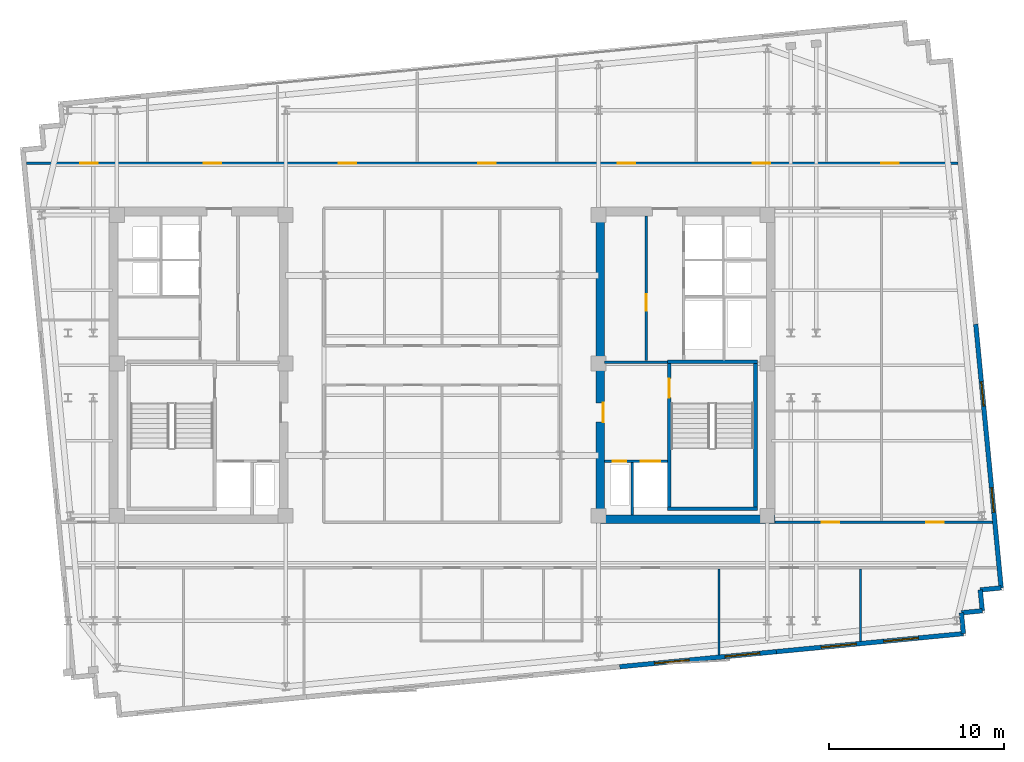
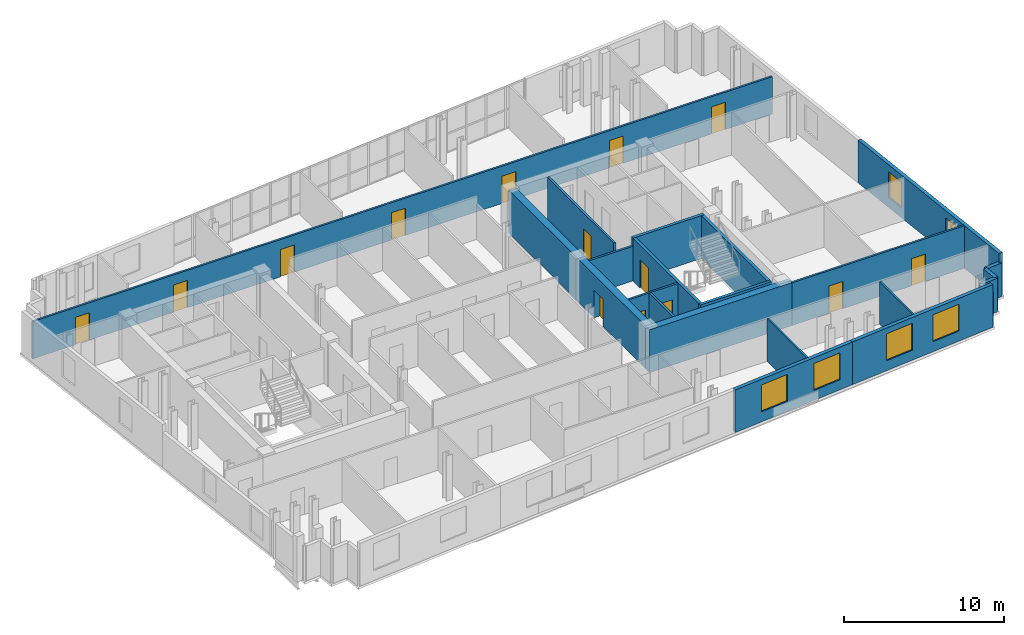
# One storey, part 8 of 11: 21 walls, 14 doors, 6 windows, 20 openings.
"""IFC4 building model written with IfcOpenShell, lengths in metres."""

from ifc_helpers import new_model, si_unit, direction, frame, frame_2d, origin, place, context, subcontext, project, spatial, rectangle, extrude, material, layer, layer_set, type_object, element, fill, save


model = new_model("IFC4")

# Units and contexts
model_context = context("Model", 3, precision=1e-05, world=origin(), true_north=direction((0.0, 1.0)))
body_context = subcontext(model_context, "Body", "Model", "MODEL_VIEW")
ifc_project = project(units=[si_unit("LENGTHUNIT", "METRE"), si_unit("AREAUNIT", "SQUARE_METRE"), si_unit("VOLUMEUNIT", "CUBIC_METRE"), si_unit("PLANEANGLEUNIT", "RADIAN"), si_unit("MASSUNIT", "GRAM", prefix="KILO")], contexts=[model_context])

# Site, building, storey
site_placement = place(None, origin())
site = spatial("IfcSite", under=ifc_project, at=site_placement, CompositionType="ELEMENT")
building_placement = place(site_placement, origin())
building = spatial("IfcBuilding", under=site, at=building_placement, Name="Velakula Bourse", CompositionType="ELEMENT")
storey_placement = place(building_placement, frame((0.0, 0.0, 279.300048828125)))
storey = spatial("IfcBuildingStorey", under=building, at=storey_placement, Name="L76", CompositionType="ELEMENT", Elevation=279.300048828125)

# Wall, opening, door
ifc_material_1 = material(Name="Concrete M50 (fck 50 MPa)", Category="concrete")
ifc_layer_1 = layer(ifc_material_1, 0.2099609375, Name="Concrete M50 (fck 50 MPa)", Category="concrete")
ifc_layer_set_1 = layer_set([ifc_layer_1], Name="Concrete M50 (fck 50 MPa)")
wall_type_1 = type_object("IfcWallType", Name="WL-CORE-210", PredefinedType="SHEAR", material=ifc_layer_set_1)
wall_1_placement = place(storey_placement, frame((12.9951171875, -8.10009765625, 0.0), z_axis=(0.0, 0.0, 1.0), x_axis=(0.0, 1.0, 0.0)))
wall_1 = element("IfcWall", 1, at=wall_1_placement, inside=storey, type_object=wall_type_1, Name="L76 Core E Stairwell Shear Wall IN", PredefinedType="SHEAR", context=body_context, shape_type="SweptSolid", body=[
    extrude(rectangle(XDim=8.2001953125, YDim=0.2099609375, at=frame_2d((4.10009765625, 0.0))), origin(), (0.0, 0.0, 1.0), 3.27001953125),
])
opening_1_placement = place(wall_1_placement, frame((6.25, 0.0, 0.0)))
opening_1 = element("IfcOpeningElement", 2, at=opening_1_placement, cuts=wall_1, Name="Opening D-STE1", PredefinedType="OPENING", context=body_context, shape_type="SweptSolid", body=[
    extrude(rectangle(XDim=1.10009765625, YDim=2.14990234375, at=frame_2d((0.550048828125, 1.074951171875))), frame((0.0, 0.114990234375, 0.0), z_axis=(0.0, -1.0, 0.0), x_axis=(1.0, 0.0, 0.0)), (0.0, 0.0, 1.0), 0.22998046875),
])
ifc_material_2 = material(Name="Galvanised painted hollow steel fire door", Category="steel")
door_type_1 = type_object("IfcDoorType", Name="DR-FD120-1100x2150", OperationType="NOTDEFINED", PredefinedType="DOOR", material=ifc_material_2)
door_1_placement = place(opening_1_placement, origin())
door_1 = element("IfcDoor", 3, at=door_1_placement, inside=storey, type_object=door_type_1, Name="L76 Stair ST-E1 Fire Door", OperationType="SINGLE_SWING_RIGHT", OverallHeight=2.14990234375, OverallWidth=1.10009765625, PredefinedType="DOOR", context=body_context, shape_type="SweptSolid", body=[
    extrude(rectangle(XDim=1.10009765625, YDim=2.14990234375, at=frame_2d((0.550048828125, 1.074951171875))), frame((0.0, 0.02490234375, 0.0), z_axis=(0.0, -1.0, 0.0), x_axis=(1.0, 0.0, 0.0)), (0.0, 0.0, 1.0), 0.050048828125),
])
fill(opening_1, door_1)

# Walls
wall_2_placement = place(storey_placement, frame((17.925048828125, -8.10009765625, 0.0), z_axis=(0.0, 0.0, 1.0), x_axis=(0.0, 1.0, 0.0)))
element("IfcWall", 4, at=wall_2_placement, inside=storey, type_object=wall_type_1, Name="L76 Core E Stairwell Shear Wall OUT", PredefinedType="SHEAR", context=body_context, shape_type="SweptSolid", body=[
    extrude(rectangle(XDim=8.2001953125, YDim=0.2099609375, at=frame_2d((4.10009765625, 0.0))), origin(), (0.0, 0.0, 1.0), 3.27001953125),
])
for number, where, z_axis, x_axis, name in (
    (5, (12.889892578125, -8.205078125, 0.0), (0.0, 0.0, 1.0), (1.0, 0.0, 0.0), "L76 Core E Stairwell Shear Wall S"),
    (6, (18.030029296875, 0.205078125, 0.0), (0.0, 0.0, 1.0), (-1.0, 0.0, 0.0), "L76 Core E Stairwell Shear Wall N"),
):
    element("IfcWall", number, at=place(storey_placement, frame(where, z_axis=z_axis, x_axis=x_axis)), inside=storey, type_object=wall_type_1, Name=name, PredefinedType="SHEAR", context=body_context, shape_type="SweptSolid", body=[
        extrude(rectangle(XDim=5.14013671875, YDim=0.2099609375, at=frame_2d((2.570068359375, 0.0))), origin(), (0.0, 0.0, 1.0), 3.27001953125),
    ])
ifc_layer_2 = layer(ifc_material_1, 0.5, Name="Concrete M50 (fck 50 MPa)", Category="concrete")
ifc_layer_set_2 = layer_set([ifc_layer_2], Name="Concrete M50 (fck 50 MPa)")
wall_type_2 = type_object("IfcWallType", Name="WL-CORE-500", PredefinedType="SHEAR", material=ifc_layer_set_2)
wall_3_placement = place(storey_placement, frame((8.800048828125, -8.800048828125, 0.0), z_axis=(0.0, 0.0, 1.0), x_axis=(1.0, 0.0, 0.0)))
element("IfcWall", 7, at=wall_3_placement, inside=storey, type_object=wall_type_2, Name="L76 Core E Shear Wall S", PredefinedType="SHEAR", context=body_context, shape_type="SweptSolid", body=[
    extrude(rectangle(XDim=10.25, YDim=0.5, at=frame_2d((5.125, 0.0))), origin(), (0.0, 0.0, 1.0), 3.27001953125),
])

# Wall, opening, door
wall_4_placement = place(storey_placement, frame((9.050048828125, -8.550048828125, 0.0), z_axis=(0.0, 0.0, 1.0), x_axis=(0.0, 1.0, 0.0)))
wall_4 = element("IfcWall", 8, at=wall_4_placement, inside=storey, type_object=wall_type_2, Name="L76 Core E Shear Wall W", PredefinedType="SHEAR", context=body_context, shape_type="SweptSolid", body=[
    extrude(rectangle(XDim=17.10009765625, YDim=0.5, at=frame_2d((8.550048828125, 0.0))), origin(), (0.0, 0.0, 1.0), 3.27001953125),
])
opening_2_placement = place(wall_4_placement, frame((5.300048828125, 0.0, 0.0)))
opening_2 = element("IfcOpeningElement", 9, at=opening_2_placement, cuts=wall_4, Name="Opening D-FLE", PredefinedType="OPENING", context=body_context, shape_type="SweptSolid", body=[
    extrude(rectangle(XDim=1.10009765625, YDim=2.080078125, at=frame_2d((0.550048828125, 1.0400390625))), frame((0.0, 0.260009765625, 0.0), z_axis=(0.0, -1.0, 0.0), x_axis=(1.0, 0.0, 0.0)), (0.0, 0.0, 1.0), 0.52001953125),
])
door_type_2 = type_object("IfcDoorType", Name="DR-FD120-1100", OperationType="NOTDEFINED", PredefinedType="DOOR", material=ifc_material_2)
door_2_placement = place(opening_2_placement, origin())
door_2 = element("IfcDoor", 10, at=door_2_placement, inside=storey, type_object=door_type_2, Name="L76 Firefighting Lobby E Corridor Fire Door", OperationType="SINGLE_SWING_RIGHT", OverallHeight=2.080078125, OverallWidth=1.10009765625, PredefinedType="DOOR", context=body_context, shape_type="SweptSolid", body=[
    extrude(rectangle(XDim=1.10009765625, YDim=2.080078125, at=frame_2d((0.550048828125, 1.0400390625))), frame((0.0, -0.15478515625, 0.0), z_axis=(0.0, -1.0, 0.0), x_axis=(1.0, 0.0, 0.0)), (0.0, 0.0, 1.0), 0.050048828125),
])
fill(opening_2, door_2)

# Wall, openings, windows
ifc_material_3 = material(Name="Buff kilned clay facing brick masonry", Category="masonry")
ifc_layer_3 = layer(ifc_material_3, 0.260009765625, Name="Buff kilned clay facing brick masonry", Category="masonry")
ifc_layer_set_3 = layer_set([ifc_layer_3], Name="Buff kilned clay facing brick masonry")
wall_type_3 = type_object("IfcWallType", Name="WL-EXT-BRK-260", PredefinedType="STANDARD", material=ifc_layer_set_3)
wall_5_placement = place(storey_placement, frame((19.119873046875, -16.375244140625, 0.0), z_axis=(0.0, 0.0, 1.0), x_axis=(-0.995396794462, -0.09583956164, 0.0)))
wall_5 = element("IfcWall", 11, at=wall_5_placement, inside=storey, type_object=wall_type_3, Name="L76 S Brick Spandrel Wall B4", PredefinedType="STANDARD", context=body_context, shape_type="SweptSolid", body=[
    extrude(rectangle(XDim=9.0, YDim=0.260009765625, at=frame_2d((4.5, 0.0))), origin(), (0.0, 0.0, 1.0), 3.25),
])
opening_3_placement = place(wall_5_placement, frame((0.949951171875, 0.0, 0.760009765625)))
opening_3 = element("IfcOpeningElement", 12, at=opening_3_placement, cuts=wall_5, Name="Opening W-05", PredefinedType="OPENING", context=body_context, shape_type="SweptSolid", body=[
    extrude(rectangle(XDim=2.0, YDim=2.050048828125, at=frame_2d((1.0, 1.02490234375))), frame((0.0, 0.139892578125, 0.0), z_axis=(0.0, -1.0, 0.0), x_axis=(1.0, 0.0, 0.0)), (0.0, 0.0, 1.0), 0.280029296875),
])
opening_4_placement = place(wall_5_placement, frame((5.0, 0.0, 0.760009765625)))
opening_4 = element("IfcOpeningElement", 13, at=opening_4_placement, cuts=wall_5, Name="Opening W-05", PredefinedType="OPENING", context=body_context, shape_type="SweptSolid", body=[
    extrude(rectangle(XDim=2.0, YDim=2.050048828125, at=frame_2d((1.0, 1.02490234375))), frame((0.0, 0.139892578125, 0.0), z_axis=(0.0, -1.0, 0.0), x_axis=(1.0, 0.0, 0.0)), (0.0, 0.0, 1.0), 0.280029296875),
])
ifc_material_4 = material(Name="Double-glazed solar-control Low-E glass", Category="glass")
window_type_1 = type_object("IfcWindowType", Name="WIN-TWR-2000x2200", PartitioningType="DOUBLE_PANEL_VERTICAL", PredefinedType="WINDOW", material=ifc_material_4)
window_1_placement = place(opening_3_placement, origin())
window_1 = element("IfcWindow", 14, at=window_1_placement, inside=storey, type_object=window_type_1, Name="L76 Deep-Set Recessed Window 1", OverallHeight=2.050048828125, OverallWidth=2.0, PartitioningType="DOUBLE_PANEL_VERTICAL", PredefinedType="WINDOW", context=body_context, shape_type="SweptSolid", body=[
    extrude(rectangle(XDim=2.0, YDim=2.050048828125, at=frame_2d((1.0, 1.02490234375))), frame((0.0, 0.030029296875, 0.0), z_axis=(0.0, -1.0, 0.0), x_axis=(1.0, 0.0, 0.0)), (0.0, 0.0, 1.0), 0.06005859375),
])
fill(opening_3, window_1)
window_2_placement = place(opening_4_placement, origin())
window_2 = element("IfcWindow", 15, at=window_2_placement, inside=storey, type_object=window_type_1, Name="L76 Deep-Set Recessed Window 2", OverallHeight=2.050048828125, OverallWidth=2.0, PartitioningType="DOUBLE_PANEL_VERTICAL", PredefinedType="WINDOW", context=body_context, shape_type="SweptSolid", body=[
    extrude(rectangle(XDim=2.0, YDim=2.050048828125, at=frame_2d((1.0, 1.02490234375))), frame((0.0, 0.030029296875, 0.0), z_axis=(0.0, -1.0, 0.0), x_axis=(1.0, 0.0, 0.0)), (0.0, 0.0, 1.0), 0.06005859375),
])
fill(opening_4, window_2)

wall_6_placement = place(storey_placement, frame((29.820556640625, -15.344970703125, 0.0), z_axis=(0.0, 0.0, 1.0), x_axis=(-0.995396954468, -0.095837899791, 0.0)))
wall_6 = element("IfcWall", 16, at=wall_6_placement, inside=storey, type_object=wall_type_3, Name="L76 S Brick Spandrel Wall B5", PredefinedType="STANDARD", context=body_context, shape_type="SweptSolid", body=[
    extrude(rectangle(XDim=10.750244140625, YDim=0.260009765625, at=frame_2d((5.375, 0.0))), origin(), (0.0, 0.0, 1.0), 3.25),
])
opening_5_placement = place(wall_6_placement, frame((2.583251953125, 0.0, 0.760009765625)))
opening_5 = element("IfcOpeningElement", 17, at=opening_5_placement, cuts=wall_6, Name="Opening W-05", PredefinedType="OPENING", context=body_context, shape_type="SweptSolid", body=[
    extrude(rectangle(XDim=2.0, YDim=2.050048828125, at=frame_2d((1.0, 1.02490234375))), frame((0.0, 0.139892578125, 0.0), z_axis=(0.0, -1.0, 0.0), x_axis=(1.0, 0.0, 0.0)), (0.0, 0.0, 1.0), 0.280029296875),
])
opening_6_placement = place(wall_6_placement, frame((6.166748046875, 0.0, 0.760009765625)))
opening_6 = element("IfcOpeningElement", 18, at=opening_6_placement, cuts=wall_6, Name="Opening W-05", PredefinedType="OPENING", context=body_context, shape_type="SweptSolid", body=[
    extrude(rectangle(XDim=2.0, YDim=2.050048828125, at=frame_2d((1.0, 1.02490234375))), frame((0.0, 0.139892578125, 0.0), z_axis=(0.0, -1.0, 0.0), x_axis=(1.0, 0.0, 0.0)), (0.0, 0.0, 1.0), 0.280029296875),
])
window_3_placement = place(opening_5_placement, origin())
window_3 = element("IfcWindow", 19, at=window_3_placement, inside=storey, type_object=window_type_1, Name="L76 Deep-Set Recessed Window 1", OverallHeight=2.050048828125, OverallWidth=2.0, PartitioningType="DOUBLE_PANEL_VERTICAL", PredefinedType="WINDOW", context=body_context, shape_type="SweptSolid", body=[
    extrude(rectangle(XDim=2.0, YDim=2.050048828125, at=frame_2d((1.0, 1.02490234375))), frame((0.0, 0.030029296875, 0.0), z_axis=(0.0, -1.0, 0.0), x_axis=(1.0, 0.0, 0.0)), (0.0, 0.0, 1.0), 0.06005859375),
])
fill(opening_5, window_3)
window_4_placement = place(opening_6_placement, origin())
window_4 = element("IfcWindow", 20, at=window_4_placement, inside=storey, type_object=window_type_1, Name="L76 Deep-Set Recessed Window 2", OverallHeight=2.050048828125, OverallWidth=2.0, PartitioningType="DOUBLE_PANEL_VERTICAL", PredefinedType="WINDOW", context=body_context, shape_type="SweptSolid", body=[
    extrude(rectangle(XDim=2.0, YDim=2.050048828125, at=frame_2d((1.0, 1.02490234375))), frame((0.0, 0.030029296875, 0.0), z_axis=(0.0, -1.0, 0.0), x_axis=(1.0, 0.0, 0.0)), (0.0, 0.0, 1.0), 0.06005859375),
])
fill(opening_6, window_4)

wall_7_placement = place(storey_placement, frame((30.52734375, 2.354248046875, 0.0), z_axis=(0.0, 0.0, 1.0), x_axis=(0.095850890337, -0.995395703638, 0.0)))
wall_7 = element("IfcWall", 21, at=wall_7_placement, inside=storey, type_object=wall_type_3, Name="L76 E Brick End Wall W1", PredefinedType="STANDARD", context=body_context, shape_type="SweptSolid", body=[
    extrude(rectangle(XDim=15.150146484375, YDim=0.260009765625, at=frame_2d((7.5751953125, 0.0))), origin(), (0.0, 0.0, 1.0), 3.25),
])
opening_7_placement = place(wall_7_placement, frame((3.300048828125, 0.0, 0.760009765625)))
opening_7 = element("IfcOpeningElement", 22, at=opening_7_placement, cuts=wall_7, Name="Opening W-03", PredefinedType="OPENING", context=body_context, shape_type="SweptSolid", body=[
    extrude(rectangle(XDim=1.39990234375, YDim=1.949951171875, at=frame_2d((0.699951171875, 0.97509765625))), frame((0.0, 0.139892578125, 0.0), z_axis=(0.0, -1.0, 0.0), x_axis=(1.0, 0.0, 0.0)), (0.0, 0.0, 1.0), 0.280029296875),
])
opening_8_placement = place(wall_7_placement, frame((9.39990234375, 0.0, 0.760009765625)))
opening_8 = element("IfcOpeningElement", 23, at=opening_8_placement, cuts=wall_7, Name="Opening W-03", PredefinedType="OPENING", context=body_context, shape_type="SweptSolid", body=[
    extrude(rectangle(XDim=1.39990234375, YDim=1.949951171875, at=frame_2d((0.699951171875, 0.97509765625))), frame((0.0, 0.139892578125, 0.0), z_axis=(0.0, -1.0, 0.0), x_axis=(1.0, 0.0, 0.0)), (0.0, 0.0, 1.0), 0.280029296875),
])
window_type_2 = type_object("IfcWindowType", Name="WIN-TWR-1400x2100", PartitioningType="SINGLE_PANEL", PredefinedType="WINDOW", material=ifc_material_4)
window_5_placement = place(opening_7_placement, origin())
window_5 = element("IfcWindow", 24, at=window_5_placement, inside=storey, type_object=window_type_2, Name="L76 Deep-Set Recessed Window 1", OverallHeight=1.949951171875, OverallWidth=1.39990234375, PartitioningType="SINGLE_PANEL", PredefinedType="WINDOW", context=body_context, shape_type="SweptSolid", body=[
    extrude(rectangle(XDim=1.39990234375, YDim=1.949951171875, at=frame_2d((0.699951171875, 0.97509765625))), frame((0.0, 0.030029296875, 0.0), z_axis=(0.0, -1.0, 0.0), x_axis=(1.0, 0.0, 0.0)), (0.0, 0.0, 1.0), 0.06005859375),
])
fill(opening_7, window_5)
window_6_placement = place(opening_8_placement, origin())
window_6 = element("IfcWindow", 25, at=window_6_placement, inside=storey, type_object=window_type_2, Name="L76 Deep-Set Recessed Window 2", OverallHeight=1.949951171875, OverallWidth=1.39990234375, PartitioningType="SINGLE_PANEL", PredefinedType="WINDOW", context=body_context, shape_type="SweptSolid", body=[
    extrude(rectangle(XDim=1.39990234375, YDim=1.949951171875, at=frame_2d((0.699951171875, 0.97509765625))), frame((0.0, 0.030029296875, 0.0), z_axis=(0.0, -1.0, 0.0), x_axis=(1.0, 0.0, 0.0)), (0.0, 0.0, 1.0), 0.06005859375),
])
fill(opening_8, window_6)

# Walls
for number, where, z_axis, x_axis, name in (
    (26, (29.820556640625, -15.344970703125, 0.0), (0.0, 0.0, 1.0), (-0.096018626938, 0.995379537303, 0.0), "L76 Serrated Corner Brick Wall SE-1"),
    (27, (29.705322265625, -14.150390625, 0.0), (0.0, 0.0, 1.0), (0.995398960025, 0.095817067274, 0.0), "L76 Serrated Corner Brick Wall SE-2"),
):
    element("IfcWall", number, at=place(storey_placement, frame(where, z_axis=z_axis, x_axis=x_axis)), inside=storey, type_object=wall_type_3, Name=name, PredefinedType="STANDARD", context=body_context, shape_type="SweptSolid", body=[
        extrude(rectangle(XDim=1.2001953125, YDim=0.260009765625, at=frame_2d((0.60009765625, 0.0))), origin(), (0.0, 0.0, 1.0), 2.56494140625),
    ])
wall_8_placement = place(storey_placement, frame((30.89990234375, -14.035400390625, 0.0), z_axis=(0.0, 0.0, 1.0), x_axis=(-0.095836473879, 0.995397091755, 0.0)))
element("IfcWall", 28, at=wall_8_placement, inside=storey, type_object=wall_type_3, Name="L76 Serrated Corner Brick Wall SE-3", PredefinedType="STANDARD", context=body_context, shape_type="SweptSolid", body=[
    extrude(rectangle(XDim=1.199951171875, YDim=0.260009765625, at=frame_2d((0.60009765625, 0.0))), origin(), (0.0, 0.0, 1.0), 2.56494140625),
])
wall_9_placement = place(storey_placement, frame((30.784912109375, -12.841064453125, 0.0), z_axis=(0.0, 0.0, 1.0), x_axis=(0.995398960025, 0.095817067274, 0.0)))
element("IfcWall", 29, at=wall_9_placement, inside=storey, type_object=wall_type_3, Name="L76 Serrated Corner Brick Wall SE-4", PredefinedType="STANDARD", context=body_context, shape_type="SweptSolid", body=[
    extrude(rectangle(XDim=1.2001953125, YDim=0.260009765625, at=frame_2d((0.60009765625, 0.0))), origin(), (0.0, 0.0, 1.0), 2.56494140625),
])
ifc_material_5 = material(Name="Fire-rated double-layer gypsum drywall partition", Category="gypsum")
ifc_layer_4 = layer(ifc_material_5, 0.1201171875, Name="Fire-rated double-layer gypsum drywall partition", Category="gypsum")
ifc_layer_set_4 = layer_set([ifc_layer_4], Name="Fire-rated double-layer gypsum drywall partition")
wall_type_4 = type_object("IfcWallType", Name="WL-PART-120", PredefinedType="STANDARD", material=ifc_layer_set_4)
wall_10_placement = place(storey_placement, frame((15.844970703125, -16.56005859375, 0.0), z_axis=(0.0, 0.0, 1.0), x_axis=(0.0, 1.0, 0.0)))
element("IfcWall", 30, at=wall_10_placement, inside=storey, type_object=wall_type_4, Name="L76 Interior Partition WL-INT-L76-SR-D7", PredefinedType="STANDARD", context=body_context, shape_type="SweptSolid", body=[
    extrude(rectangle(XDim=4.920166015625, YDim=0.1201171875, at=frame_2d((2.4599609375, 0.0))), origin(), (0.0, 0.0, 1.0), 3.25),
])
wall_11_placement = place(storey_placement, frame((23.927001953125, -15.78173828125, 0.0), z_axis=(0.0, 0.0, 1.0), x_axis=(0.0, 1.0, 0.0)))
element("IfcWall", 31, at=wall_11_placement, inside=storey, type_object=wall_type_4, Name="L76 Interior Partition WL-INT-L76-SR-D8", PredefinedType="STANDARD", context=body_context, shape_type="SweptSolid", body=[
    extrude(rectangle(XDim=4.141845703125, YDim=0.1201171875, at=frame_2d((2.07080078125, 0.0))), origin(), (0.0, 0.0, 1.0), 3.25),
])

# Wall, openings, doors
ifc_layer_5 = layer(ifc_material_5, 0.139892578125, Name="Fire-rated double-layer gypsum drywall partition", Category="gypsum")
ifc_layer_set_5 = layer_set([ifc_layer_5], Name="Fire-rated double-layer gypsum drywall partition")
wall_type_5 = type_object("IfcWallType", Name="WL-PART-140", PredefinedType="STANDARD", material=ifc_layer_set_5)
wall_12_placement = place(storey_placement, frame((-23.77587890625, 11.570068359375, 0.0), z_axis=(0.0, 0.0, 1.0), x_axis=(1.0, 0.0, 0.0)))
wall_12 = element("IfcWall", 32, at=wall_12_placement, inside=storey, type_object=wall_type_5, Name="L76 Interior Partition WL-INT-L76-N-CORR", PredefinedType="STANDARD", context=body_context, shape_type="SweptSolid", body=[
    extrude(rectangle(XDim=53.28515625, YDim=0.139892578125, at=frame_2d((26.642578125, 0.0))), origin(), (0.0, 0.0, 1.0), 2.844970703125),
])
opening_9_placement = place(wall_12_placement, frame((3.0869140625, 0.0, 0.0)))
opening_9 = element("IfcOpeningElement", 33, at=opening_9_placement, cuts=wall_12, Name="Opening D-OF1", PredefinedType="OPENING", context=body_context, shape_type="SweptSolid", body=[
    extrude(rectangle(XDim=1.0, YDim=2.080078125, at=frame_2d((0.5, 1.0400390625))), frame((0.0, 0.079833984375, 0.0), z_axis=(0.0, -1.0, 0.0), x_axis=(1.0, 0.0, 0.0)), (0.0, 0.0, 1.0), 0.159912109375),
])
opening_10_placement = place(wall_12_placement, frame((10.14697265625, 0.0, 0.0)))
opening_10 = element("IfcOpeningElement", 34, at=opening_10_placement, cuts=wall_12, Name="Opening D-OF1", PredefinedType="OPENING", context=body_context, shape_type="SweptSolid", body=[
    extrude(rectangle(XDim=1.0, YDim=2.080078125, at=frame_2d((0.5, 1.0400390625))), frame((0.0, 0.079833984375, 0.0), z_axis=(0.0, -1.0, 0.0), x_axis=(1.0, 0.0, 0.0)), (0.0, 0.0, 1.0), 0.159912109375),
])
opening_11_placement = place(wall_12_placement, frame((17.863037109375, 0.0, 0.0)))
opening_11 = element("IfcOpeningElement", 35, at=opening_11_placement, cuts=wall_12, Name="Opening D-OF1", PredefinedType="OPENING", context=body_context, shape_type="SweptSolid", body=[
    extrude(rectangle(XDim=1.0, YDim=2.080078125, at=frame_2d((0.5, 1.0400390625))), frame((0.0, 0.079833984375, 0.0), z_axis=(0.0, -1.0, 0.0), x_axis=(1.0, 0.0, 0.0)), (0.0, 0.0, 1.0), 0.159912109375),
])
opening_12_placement = place(wall_12_placement, frame((25.844970703125, 0.0, 0.0)))
opening_12 = element("IfcOpeningElement", 36, at=opening_12_placement, cuts=wall_12, Name="Opening D-OF1", PredefinedType="OPENING", context=body_context, shape_type="SweptSolid", body=[
    extrude(rectangle(XDim=1.0, YDim=2.080078125, at=frame_2d((0.5, 1.0400390625))), frame((0.0, 0.079833984375, 0.0), z_axis=(0.0, -1.0, 0.0), x_axis=(1.0, 0.0, 0.0)), (0.0, 0.0, 1.0), 0.159912109375),
])
opening_13_placement = place(wall_12_placement, frame((33.826904296875, 0.0, 0.0)))
opening_13 = element("IfcOpeningElement", 37, at=opening_13_placement, cuts=wall_12, Name="Opening D-OF1", PredefinedType="OPENING", context=body_context, shape_type="SweptSolid", body=[
    extrude(rectangle(XDim=1.0, YDim=2.080078125, at=frame_2d((0.5, 1.0400390625))), frame((0.0, 0.079833984375, 0.0), z_axis=(0.0, -1.0, 0.0), x_axis=(1.0, 0.0, 0.0)), (0.0, 0.0, 1.0), 0.159912109375),
])
opening_14_placement = place(wall_12_placement, frame((41.54296875, 0.0, 0.0)))
opening_14 = element("IfcOpeningElement", 38, at=opening_14_placement, cuts=wall_12, Name="Opening D-OF1", PredefinedType="OPENING", context=body_context, shape_type="SweptSolid", body=[
    extrude(rectangle(XDim=1.0, YDim=2.080078125, at=frame_2d((0.5, 1.0400390625))), frame((0.0, 0.079833984375, 0.0), z_axis=(0.0, -1.0, 0.0), x_axis=(1.0, 0.0, 0.0)), (0.0, 0.0, 1.0), 0.159912109375),
])
opening_15_placement = place(wall_12_placement, frame((48.900634765625, 0.0, 0.0)))
opening_15 = element("IfcOpeningElement", 39, at=opening_15_placement, cuts=wall_12, Name="Opening D-OF1", PredefinedType="OPENING", context=body_context, shape_type="SweptSolid", body=[
    extrude(rectangle(XDim=1.0, YDim=2.080078125, at=frame_2d((0.5, 1.0400390625))), frame((0.0, 0.079833984375, 0.0), z_axis=(0.0, -1.0, 0.0), x_axis=(1.0, 0.0, 0.0)), (0.0, 0.0, 1.0), 0.159912109375),
])
ifc_material_6 = material(Name="Fire-rated hardwood flush architectural door", Category="wood")
door_type_3 = type_object("IfcDoorType", Name="DR-OFF-1000", OperationType="NOTDEFINED", PredefinedType="DOOR", material=ifc_material_6)
door_3_placement = place(opening_9_placement, origin())
door_3 = element("IfcDoor", 40, at=door_3_placement, inside=storey, type_object=door_type_3, Name="L76 Prime-Brokerage Dealing Workspace Door", OperationType="SINGLE_SWING_LEFT", OverallHeight=2.080078125, OverallWidth=1.0, PredefinedType="DOOR", context=body_context, shape_type="SweptSolid", body=[
    extrude(rectangle(XDim=1.0, YDim=2.080078125, at=frame_2d((0.5, 1.0400390625))), frame((0.0, 0.02490234375, 0.0), z_axis=(0.0, -1.0, 0.0), x_axis=(1.0, 0.0, 0.0)), (0.0, 0.0, 1.0), 0.050048828125),
])
fill(opening_9, door_3)
door_4_placement = place(opening_10_placement, origin())
door_4 = element("IfcDoor", 41, at=door_4_placement, inside=storey, type_object=door_type_3, Name="L76 Training Classroom Door", OperationType="SINGLE_SWING_RIGHT", OverallHeight=2.080078125, OverallWidth=1.0, PredefinedType="DOOR", context=body_context, shape_type="SweptSolid", body=[
    extrude(rectangle(XDim=1.0, YDim=2.080078125, at=frame_2d((0.5, 1.0400390625))), frame((0.0, 0.02490234375, 0.0), z_axis=(0.0, -1.0, 0.0), x_axis=(1.0, 0.0, 0.0)), (0.0, 0.0, 1.0), 0.050048828125),
])
fill(opening_10, door_4)
door_5_placement = place(opening_11_placement, origin())
door_5 = element("IfcDoor", 42, at=door_5_placement, inside=storey, type_object=door_type_3, Name="L76 Tea Room Kitchenette Door", OperationType="SINGLE_SWING_LEFT", OverallHeight=2.080078125, OverallWidth=1.0, PredefinedType="DOOR", context=body_context, shape_type="SweptSolid", body=[
    extrude(rectangle(XDim=1.0, YDim=2.080078125, at=frame_2d((0.5, 1.0400390625))), frame((0.0, 0.02490234375, 0.0), z_axis=(0.0, -1.0, 0.0), x_axis=(1.0, 0.0, 0.0)), (0.0, 0.0, 1.0), 0.050048828125),
])
fill(opening_11, door_5)
door_6_placement = place(opening_12_placement, origin())
door_6 = element("IfcDoor", 43, at=door_6_placement, inside=storey, type_object=door_type_3, Name="L76 Economic Reference Library Door", OperationType="SINGLE_SWING_RIGHT", OverallHeight=2.080078125, OverallWidth=1.0, PredefinedType="DOOR", context=body_context, shape_type="SweptSolid", body=[
    extrude(rectangle(XDim=1.0, YDim=2.080078125, at=frame_2d((0.5, 1.0400390625))), frame((0.0, 0.02490234375, 0.0), z_axis=(0.0, -1.0, 0.0), x_axis=(1.0, 0.0, 0.0)), (0.0, 0.0, 1.0), 0.050048828125),
])
fill(opening_12, door_6)
door_7_placement = place(opening_13_placement, origin())
door_7 = element("IfcDoor", 44, at=door_7_placement, inside=storey, type_object=door_type_3, Name="L76 Company Secretary Office Door", OperationType="SINGLE_SWING_LEFT", OverallHeight=2.080078125, OverallWidth=1.0, PredefinedType="DOOR", context=body_context, shape_type="SweptSolid", body=[
    extrude(rectangle(XDim=1.0, YDim=2.080078125, at=frame_2d((0.5, 1.0400390625))), frame((0.0, 0.02490234375, 0.0), z_axis=(0.0, -1.0, 0.0), x_axis=(1.0, 0.0, 0.0)), (0.0, 0.0, 1.0), 0.050048828125),
])
fill(opening_13, door_7)
door_8_placement = place(opening_14_placement, origin())
door_8 = element("IfcDoor", 45, at=door_8_placement, inside=storey, type_object=door_type_3, Name="L76 Prime-Brokerage Dealing Workspace Door", OperationType="SINGLE_SWING_RIGHT", OverallHeight=2.080078125, OverallWidth=1.0, PredefinedType="DOOR", context=body_context, shape_type="SweptSolid", body=[
    extrude(rectangle(XDim=1.0, YDim=2.080078125, at=frame_2d((0.5, 1.0400390625))), frame((0.0, 0.02490234375, 0.0), z_axis=(0.0, -1.0, 0.0), x_axis=(1.0, 0.0, 0.0)), (0.0, 0.0, 1.0), 0.050048828125),
])
fill(opening_14, door_8)
door_9_placement = place(opening_15_placement, origin())
door_9 = element("IfcDoor", 46, at=door_9_placement, inside=storey, type_object=door_type_3, Name="L76 Primary Dealer Office Door", OperationType="SINGLE_SWING_LEFT", OverallHeight=2.080078125, OverallWidth=1.0, PredefinedType="DOOR", context=body_context, shape_type="SweptSolid", body=[
    extrude(rectangle(XDim=1.0, YDim=2.080078125, at=frame_2d((0.5, 1.0400390625))), frame((0.0, 0.02490234375, 0.0), z_axis=(0.0, -1.0, 0.0), x_axis=(1.0, 0.0, 0.0)), (0.0, 0.0, 1.0), 0.050048828125),
])
fill(opening_15, door_9)

wall_13_placement = place(storey_placement, frame((19.050048828125, -8.97998046875, 0.0), z_axis=(0.0, 0.0, 1.0), x_axis=(1.0, 0.0, 0.0)))
wall_13 = element("IfcWall", 47, at=wall_13_placement, inside=storey, type_object=wall_type_5, Name="L76 Interior Partition WL-INT-L76-E-SC", PredefinedType="STANDARD", context=body_context, shape_type="SweptSolid", body=[
    extrude(rectangle(XDim=12.43798828125, YDim=0.139892578125, at=frame_2d((6.218994140625, 0.0))), origin(), (0.0, 0.0, 1.0), 3.25),
])
opening_16_placement = place(wall_13_placement, frame((2.674560546875, 0.0, 0.0)))
opening_16 = element("IfcOpeningElement", 48, at=opening_16_placement, cuts=wall_13, Name="Opening D-OF1", PredefinedType="OPENING", context=body_context, shape_type="SweptSolid", body=[
    extrude(rectangle(XDim=1.0, YDim=2.080078125, at=frame_2d((0.5, 1.0400390625))), frame((0.0, 0.079833984375, 0.0), z_axis=(0.0, -1.0, 0.0), x_axis=(1.0, 0.0, 0.0)), (0.0, 0.0, 1.0), 0.159912109375),
])
opening_17_placement = place(wall_13_placement, frame((8.633544921875, 0.0, 0.0)))
opening_17 = element("IfcOpeningElement", 49, at=opening_17_placement, cuts=wall_13, Name="Opening D-OF1", PredefinedType="OPENING", context=body_context, shape_type="SweptSolid", body=[
    extrude(rectangle(XDim=1.0, YDim=2.080078125, at=frame_2d((0.5, 1.0400390625))), frame((0.0, 0.079833984375, 0.0), z_axis=(0.0, -1.0, 0.0), x_axis=(1.0, 0.0, 0.0)), (0.0, 0.0, 1.0), 0.159912109375),
])
door_10_placement = place(opening_16_placement, origin())
door_10 = element("IfcDoor", 50, at=door_10_placement, inside=storey, type_object=door_type_3, Name="L76 Broadcast Control Office Door", OperationType="SINGLE_SWING_LEFT", OverallHeight=2.080078125, OverallWidth=1.0, PredefinedType="DOOR", context=body_context, shape_type="SweptSolid", body=[
    extrude(rectangle(XDim=1.0, YDim=2.080078125, at=frame_2d((0.5, 1.0400390625))), frame((0.0, 0.02490234375, 0.0), z_axis=(0.0, -1.0, 0.0), x_axis=(1.0, 0.0, 0.0)), (0.0, 0.0, 1.0), 0.050048828125),
])
fill(opening_16, door_10)
door_11_placement = place(opening_17_placement, origin())
door_11 = element("IfcDoor", 51, at=door_11_placement, inside=storey, type_object=door_type_3, Name="L76 Disciplinary Hearing Room Door", OperationType="SINGLE_SWING_RIGHT", OverallHeight=2.080078125, OverallWidth=1.0, PredefinedType="DOOR", context=body_context, shape_type="SweptSolid", body=[
    extrude(rectangle(XDim=1.0, YDim=2.080078125, at=frame_2d((0.5, 1.0400390625))), frame((0.0, 0.02490234375, 0.0), z_axis=(0.0, -1.0, 0.0), x_axis=(1.0, 0.0, 0.0)), (0.0, 0.0, 1.0), 0.050048828125),
])
fill(opening_17, door_11)

ifc_material_7 = material(Name="Autoclaved aerated concrete blockwork masonry", Category="masonry")
ifc_layer_6 = layer(ifc_material_7, 0.14990234375, Name="Autoclaved aerated concrete blockwork masonry", Category="masonry")
ifc_layer_set_6 = layer_set([ifc_layer_6], Name="Autoclaved aerated concrete blockwork masonry")
wall_type_6 = type_object("IfcWallType", Name="WL-SHAFT-150", PredefinedType="STANDARD", material=ifc_layer_set_6)
wall_14_placement = place(storey_placement, frame((9.300048828125, -5.47509765625, 0.0), z_axis=(0.0, 0.0, 1.0), x_axis=(1.0, 0.0, 0.0)))
wall_14 = element("IfcWall", 52, at=wall_14_placement, inside=storey, type_object=wall_type_6, Name="L76 Interior Partition WL-CRE-L76-FFL-N", PredefinedType="STANDARD", context=body_context, shape_type="SweptSolid", body=[
    extrude(rectangle(XDim=3.594970703125, YDim=0.14990234375, at=frame_2d((1.79736328125, 0.0))), origin(), (0.0, 0.0, 1.0), 3.25),
])
opening_18_placement = place(wall_14_placement, frame((2.074951171875, 0.0, 0.0)))
opening_18 = element("IfcOpeningElement", 53, at=opening_18_placement, cuts=wall_14, Name="Opening LD-FFL-2", PredefinedType="OPENING", context=body_context, shape_type="SweptSolid", body=[
    extrude(rectangle(XDim=1.10009765625, YDim=2.14990234375, at=frame_2d((0.550048828125, 1.074951171875))), frame((0.0, 0.0849609375, 0.0), z_axis=(0.0, -1.0, 0.0), x_axis=(1.0, 0.0, 0.0)), (0.0, 0.0, 1.0), 0.169921875),
])
opening_19_placement = place(wall_14_placement, frame((0.47509765625, 0.0, 0.0)))
opening_19 = element("IfcOpeningElement", 54, at=opening_19_placement, cuts=wall_14, Name="Opening D-RS1", PredefinedType="OPENING", context=body_context, shape_type="SweptSolid", body=[
    extrude(rectangle(XDim=0.75, YDim=2.050048828125, at=frame_2d((0.375, 1.02490234375))), frame((0.0, 0.0849609375, 0.0), z_axis=(0.0, -1.0, 0.0), x_axis=(1.0, 0.0, 0.0)), (0.0, 0.0, 1.0), 0.169921875),
])
door_type_4 = type_object("IfcDoorType", Name="DR-RISER-800", OperationType="NOTDEFINED", PredefinedType="DOOR", material=ifc_material_2)
door_12_placement = place(opening_19_placement, origin())
door_12 = element("IfcDoor", 55, at=door_12_placement, inside=storey, type_object=door_type_4, Name="L76 Fire Riser Access Door", OperationType="SINGLE_SWING_LEFT", OverallHeight=2.050048828125, OverallWidth=0.75, PredefinedType="DOOR", context=body_context, shape_type="SweptSolid", body=[
    extrude(rectangle(XDim=0.75, YDim=2.050048828125, at=frame_2d((0.375, 1.02490234375))), frame((0.0, 0.02490234375, 0.0), z_axis=(0.0, -1.0, 0.0), x_axis=(1.0, 0.0, 0.0)), (0.0, 0.0, 1.0), 0.050048828125),
])
fill(opening_19, door_12)
ifc_material_8 = material(Name="Brushed grade 316 stainless steel", Category="steel")
door_type_5 = type_object("IfcDoorType", Name="DR-SLIDE-FFL-1100", OperationType="DOUBLE_DOOR_SLIDING", PredefinedType="DOOR", material=ifc_material_8)
door_13_placement = place(opening_18_placement, origin())
door_13 = element("IfcDoor", 56, at=door_13_placement, inside=storey, type_object=door_type_5, Name="L76 Firefighting Lift FFL-2 Sliding Landing Door", OperationType="DOUBLE_DOOR_SLIDING", OverallHeight=2.14990234375, OverallWidth=1.10009765625, PredefinedType="DOOR", context=body_context, shape_type="SweptSolid", body=[
    extrude(rectangle(XDim=1.10009765625, YDim=2.14990234375, at=frame_2d((0.550048828125, 1.074951171875))), frame((0.0, 0.02490234375, 0.0), z_axis=(0.0, -1.0, 0.0), x_axis=(1.0, 0.0, 0.0)), (0.0, 0.0, 1.0), 0.050048828125),
])
fill(opening_18, door_13)

# Walls
wall_15_placement = place(storey_placement, frame((10.875, -8.550048828125, 0.0), z_axis=(0.0, 0.0, 1.0), x_axis=(0.0, 1.0, 0.0)))
element("IfcWall", 57, at=wall_15_placement, inside=storey, type_object=wall_type_6, Name="L76 Interior Partition WL-CRE-L76-FR-DIV", PredefinedType="STANDARD", context=body_context, shape_type="SweptSolid", body=[
    extrude(rectangle(XDim=3.0, YDim=0.14990234375, at=frame_2d((1.5, 0.0))), origin(), (0.0, 0.0, 1.0), 3.25),
])
wall_16_placement = place(storey_placement, frame((9.300048828125, 0.18994140625, 0.0), z_axis=(0.0, 0.0, 1.0), x_axis=(1.0, 0.0, 0.0)))
element("IfcWall", 58, at=wall_16_placement, inside=storey, type_object=wall_type_6, Name="L76 Interior Partition WL-CRE-L76-FF-TOP", PredefinedType="STANDARD", context=body_context, shape_type="SweptSolid", body=[
    extrude(rectangle(XDim=3.58984375, YDim=0.14990234375, at=frame_2d((1.794921875, 0.0))), origin(), (0.0, 0.0, 1.0), 2.64501953125),
])

# Wall, opening, door
wall_17_placement = place(storey_placement, frame((11.675048828125, 0.27001953125, 0.0), z_axis=(0.0, 0.0, 1.0), x_axis=(0.0, 1.0, 0.0)))
wall_17 = element("IfcWall", 59, at=wall_17_placement, inside=storey, type_object=wall_type_6, Name="L76 Interior Partition WL-CRE-L76-BANK-F", PredefinedType="STANDARD", context=body_context, shape_type="SweptSolid", body=[
    extrude(rectangle(XDim=8.280029296875, YDim=0.14990234375, at=frame_2d((4.14013671875, 0.0))), origin(), (0.0, 0.0, 1.0), 3.25),
])
opening_20_placement = place(wall_17_placement, frame((2.85009765625, 0.0, 0.0)))
opening_20 = element("IfcOpeningElement", 60, at=opening_20_placement, cuts=wall_17, Name="Opening D-RC5", PredefinedType="OPENING", context=body_context, shape_type="SweptSolid", body=[
    extrude(rectangle(XDim=0.949951171875, YDim=2.050048828125, at=frame_2d((0.47509765625, 1.02490234375))), frame((0.0, 0.0849609375, 0.0), z_axis=(0.0, -1.0, 0.0), x_axis=(1.0, 0.0, 0.0)), (0.0, 0.0, 1.0), 0.169921875),
])
door_type_6 = type_object("IfcDoorType", Name="DR-FD60-950x2050", OperationType="NOTDEFINED", PredefinedType="DOOR", material=ifc_material_6)
door_14_placement = place(opening_20_placement, origin())
door_14 = element("IfcDoor", 61, at=door_14_placement, inside=storey, type_object=door_type_6, Name="L76 Reclaimed Multi-Bay Depository Room Door", OperationType="SINGLE_SWING_LEFT", OverallHeight=2.050048828125, OverallWidth=0.949951171875, PredefinedType="DOOR", context=body_context, shape_type="SweptSolid", body=[
    extrude(rectangle(XDim=0.949951171875, YDim=2.050048828125, at=frame_2d((0.47509765625, 1.02490234375))), frame((0.0, 0.02490234375, 0.0), z_axis=(0.0, -1.0, 0.0), x_axis=(1.0, 0.0, 0.0)), (0.0, 0.0, 1.0), 0.050048828125),
])
fill(opening_20, door_14)

save(model, "model.ifc")
